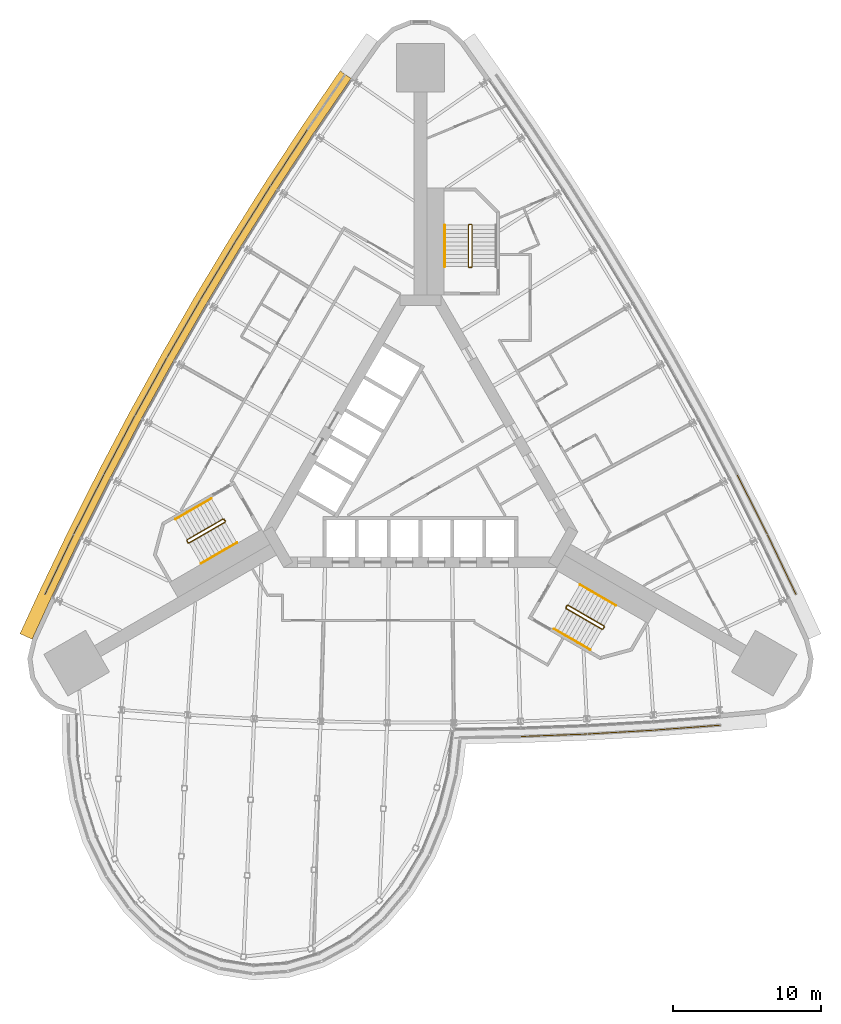
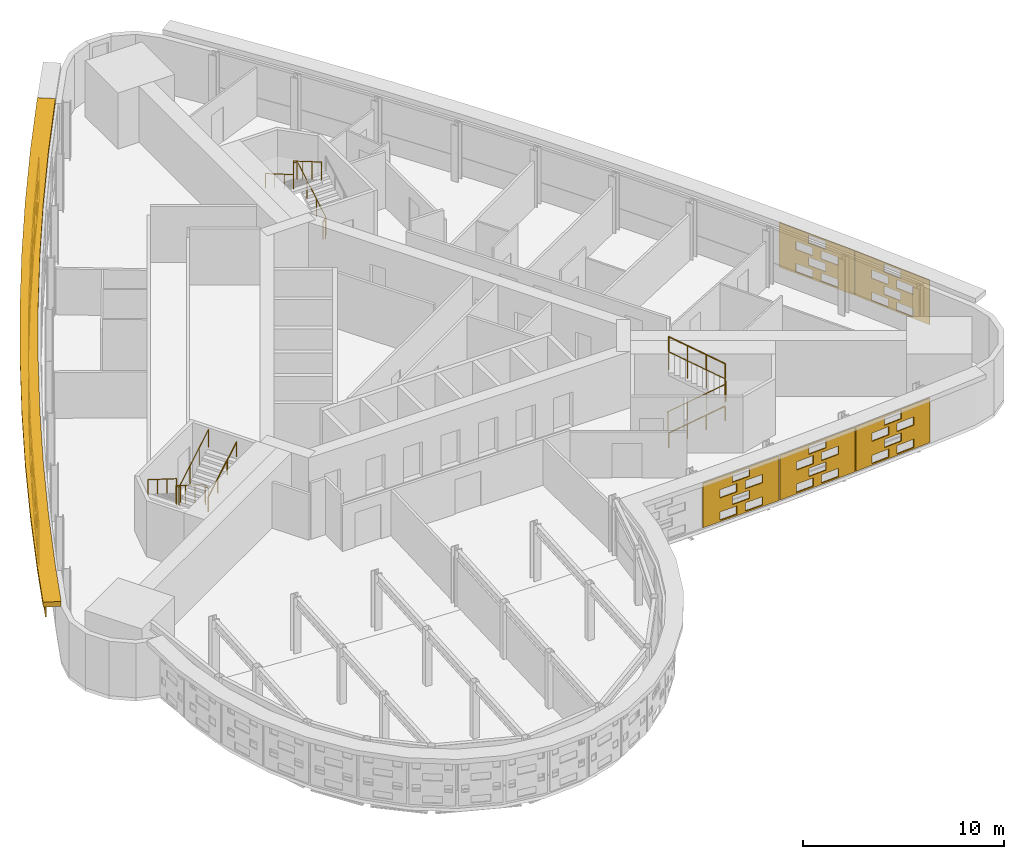
# One storey, part 15 of 16: 14 shading devices, 8 railings.
"""IFC4 building model written with IfcOpenShell, lengths in metres."""

import ifcopenshell
import ifcopenshell.guid

model = None  # the IFC model being written
_history = None  # IfcOwnerHistory: only IFC2X3 demands one
_inside = {}  # id of a spatial element -> (the spatial element, [elements in it])
_under = {}  # id of a project, library or spatial element -> (it, [spatial elements below it])
_declared = {}  # id of a project -> (the project, [libraries it declares])
_typed = {}  # id of a type object -> (the type object, [elements of that type])
_made_of = {}  # id of a material, layer set ... -> (it, [elements and type objects made of it])


def new_model(schema):
    """Start an empty IFC model of exactly this schema.

    Asked for "IFC4X3", IfcOpenShell would pick the latest addendum, in which some entities
    have other attributes; the version numbers below select the first issue.
    IFC2X3 requires an IfcOwnerHistory on every rooted entity: one is made here for all.
    """
    global model, _history
    if schema == "IFC4X3":
        model = ifcopenshell.file(schema_version=(4, 3, 0, 0))
    else:
        model = ifcopenshell.file(schema=schema)
    _inside.clear()
    _under.clear()
    _declared.clear()
    _typed.clear()
    _made_of.clear()
    _history = None
    if model.schema == "IFC2X3":
        org = make("IfcOrganization", Name="unknown")
        user = make(
            "IfcPersonAndOrganization",
            ThePerson=make("IfcPerson", FamilyName="unknown"),
            TheOrganization=org,
        )
        app = make(
            "IfcApplication",
            ApplicationDeveloper=org,
            Version="unknown",
            ApplicationFullName="unknown",
            ApplicationIdentifier="unknown",
        )
        _history = make(
            "IfcOwnerHistory",
            OwningUser=user,
            OwningApplication=app,
            ChangeAction="ADDED",
            CreationDate=0,
        )
    return model


def make(cls, **values):
    """One entity of the class cls with the attributes given. An attribute that is None is left unset."""
    return model.create_entity(
        cls, **{name: value for name, value in values.items() if value is not None}
    )


def rooted(cls, **values):
    """An entity with a GlobalId (a new one), such as an element, a storey or a relation."""
    return make(cls, GlobalId=ifcopenshell.guid.new(), OwnerHistory=_history, **values)


def si_unit(unit_type, name, prefix=None):
    """IfcSIUnit, for example si_unit("LENGTHUNIT", "METRE", prefix="MILLI")."""
    return make("IfcSIUnit", UnitType=unit_type, Prefix=prefix, Name=name)


def assignment(units):
    """IfcUnitAssignment: the units of a project."""
    return None if units is None else make("IfcUnitAssignment", Units=units)


def point(xyz):
    """IfcCartesianPoint."""
    return None if xyz is None else make("IfcCartesianPoint", Coordinates=xyz)


def direction(xyz):
    """IfcDirection."""
    return None if xyz is None else make("IfcDirection", DirectionRatios=xyz)


def frame(location, z_axis=None, x_axis=None):
    """IfcAxis2Placement3D, a coordinate frame: its origin and axes. An axis left out is left unset."""
    return make(
        "IfcAxis2Placement3D",
        Location=point(location),
        Axis=direction(z_axis),
        RefDirection=direction(x_axis),
    )


def frame_2d(location, x_axis=None):
    """IfcAxis2Placement2D, a coordinate frame in the plane: its origin and x axis."""
    return make(
        "IfcAxis2Placement2D", Location=point(location), RefDirection=direction(x_axis)
    )


def origin():
    """The frame at (0, 0, 0) with its axes left unset."""
    return frame((0.0, 0.0, 0.0))


def origin_2d():
    """The frame at (0, 0) in the plane with its x axis left unset."""
    return frame_2d((0.0, 0.0))


def place(relative_to, where):
    """IfcLocalPlacement: puts the frame where relative to a parent placement (None: the world)."""
    return make(
        "IfcLocalPlacement", PlacementRelTo=relative_to, RelativePlacement=where
    )


def context(
    kind, dimensions, precision=None, world=None, true_north=None, identifier=None
):
    """IfcGeometricRepresentationContext, for example the 3D "Model" context."""
    return make(
        "IfcGeometricRepresentationContext",
        ContextIdentifier=identifier,
        ContextType=kind,
        CoordinateSpaceDimension=dimensions,
        Precision=precision,
        WorldCoordinateSystem=world,
        TrueNorth=true_north,
    )


def subcontext(parent, identifier, kind, view, scale=None):
    """IfcGeometricRepresentationSubContext, for example "Body" below "Model"."""
    return make(
        "IfcGeometricRepresentationSubContext",
        ContextIdentifier=identifier,
        ContextType=kind,
        ParentContext=parent,
        TargetScale=scale,
        TargetView=view,
    )


def project(units=None, contexts=None):
    """IfcProject with its units and contexts."""
    return rooted(
        "IfcProject",
        Name="project",
        RepresentationContexts=contexts,
        UnitsInContext=assignment(units),
    )


def spatial(cls, under=None, at=None, **own):
    """A site, building, storey or space (cls), placed at a placement, below another one or the project."""
    s = rooted(cls, ObjectPlacement=at, **own)
    if under is not None:
        _under.setdefault(under.id(), (under, []))[1].append(s)
    return s


def polyline(points):
    """IfcPolyline through the points."""
    return make("IfcPolyline", Points=[point(p) for p in points])


def profile(cls, at=None, kind="AREA", **sizes):
    """A parametric profile (cls). Its sizes go by their IFC names, for example OverallWidth=200.0."""
    return make(cls, ProfileType=kind, Position=at, **sizes)


def circle(**sizes):
    """IfcCircleProfileDef."""
    return profile("IfcCircleProfileDef", **sizes)


def outline(outer, holes=None, kind="AREA"):
    """IfcArbitraryClosedProfileDef: a profile drawn as a closed curve; with holes, ...WithVoids."""
    if holes is None:
        return make("IfcArbitraryClosedProfileDef", ProfileType=kind, OuterCurve=outer)
    return make(
        "IfcArbitraryProfileDefWithVoids",
        ProfileType=kind,
        OuterCurve=outer,
        InnerCurves=holes,
    )


def extrude(swept, where, along, depth):
    """IfcExtrudedAreaSolid: the profile swept, set in the frame where, extruded along a direction by depth."""
    return make(
        "IfcExtrudedAreaSolid",
        SweptArea=swept,
        Position=where,
        ExtrudedDirection=direction(along),
        Depth=depth,
    )


def shape(context_of_items, identifier, shape_type, items):
    """IfcShapeRepresentation: the items that make up one representation, for example the "Body"."""
    return make(
        "IfcShapeRepresentation",
        ContextOfItems=context_of_items,
        RepresentationIdentifier=identifier,
        RepresentationType=shape_type,
        Items=items,
    )


def material(Name=None, Category=None):
    """IfcMaterial."""
    return make("IfcMaterial", Name=Name, Category=Category)


def material_profile(
    of_material, cross_section, Name=None, Category=None, Priority=None
):
    """IfcMaterialProfile: a cross section and its material."""
    return make(
        "IfcMaterialProfile",
        Name=Name,
        Material=of_material,
        Profile=cross_section,
        Priority=Priority,
        Category=Category,
    )


def profile_set(profiles, Name=None, composite=None):
    """IfcMaterialProfileSet."""
    return make(
        "IfcMaterialProfileSet",
        Name=Name,
        MaterialProfiles=profiles,
        CompositeProfile=composite,
    )


def made_of(thing, what):
    """Note that an element or type object is made of a material, layer set ...; save() writes the relation."""
    if what is not None:
        _made_of.setdefault(what.id(), (what, []))[1].append(thing)
    return thing


def type_object(cls, material=None, **own):
    """A type object (cls), such as IfcWallType, which elements share."""
    return made_of(rooted(cls, **own), material)


def element(
    cls,
    number,
    at=None,
    inside=None,
    cuts=None,
    type_object=None,
    material=None,
    context=None,
    identifier="Body",
    shape_type=None,
    held_by="IfcProductDefinitionShape",
    body=None,
    shapes=None,
    **own,
):
    """One element of the class cls, such as IfcWall. Its Tag is "e" and its number.

    at: its placement. inside: the storey or other place that contains it. cuts: it is an
    opening in that element (IfcRelVoidsElement). A single representation is given by context,
    identifier, shape_type and body (its items); several are given by shapes. held_by: the class
    of the entity that holds the representations. save() writes the other relations.
    """
    e = rooted(cls, Tag="e%d" % number, ObjectPlacement=at, **own)
    if body is not None:
        shapes = [shape(context, identifier, shape_type, body)]
    if shapes is not None:
        e.Representation = make(held_by, Representations=shapes)
    if inside is not None:
        _inside.setdefault(inside.id(), (inside, []))[1].append(e)
    if cuts is not None:
        rooted(
            "IfcRelVoidsElement", RelatingBuildingElement=cuts, RelatedOpeningElement=e
        )
    if type_object is not None:
        _typed.setdefault(type_object.id(), (type_object, []))[1].append(e)
    return made_of(e, material)


def aggregate(whole, parts):
    """IfcRelAggregates: a whole, such as a stair, and the parts it consists of."""
    return rooted("IfcRelAggregates", RelatingObject=whole, RelatedObjects=parts)


def save(model, path):
    """Write the relations noted so far, then the file.

    IfcRelAggregates (storeys below a building ...), IfcRelContainedInSpatialStructure (elements
    in a storey), IfcRelDefinesByType, IfcRelAssociatesMaterial and IfcRelDeclares: one each for
    every whole, place, type object, material and project.
    """
    for whole, parts in _under.values():
        aggregate(whole, parts)
    for where, things in _inside.values():
        rooted(
            "IfcRelContainedInSpatialStructure",
            RelatedElements=things,
            RelatingStructure=where,
        )
    for kind, things in _typed.values():
        rooted("IfcRelDefinesByType", RelatedObjects=things, RelatingType=kind)
    for what, things in _made_of.values():
        rooted("IfcRelAssociatesMaterial", RelatedObjects=things, RelatingMaterial=what)
    for by, libraries in _declared.values():
        rooted("IfcRelDeclares", RelatingContext=by, RelatedDefinitions=libraries)
    model.write(path)


model = new_model("IFC4")

# Units and contexts
model_context = context("Model", 3, precision=1e-05, world=origin(), true_north=direction((0.0, 1.0)))
body_context = subcontext(model_context, "Body", "Model", "MODEL_VIEW")
ifc_project = project(units=[si_unit("LENGTHUNIT", "METRE"), si_unit("AREAUNIT", "SQUARE_METRE"), si_unit("VOLUMEUNIT", "CUBIC_METRE"), si_unit("PLANEANGLEUNIT", "RADIAN"), si_unit("MASSUNIT", "GRAM", prefix="KILO")], contexts=[model_context])

# Site, building, storey
site_placement = place(None, origin())
site = spatial("IfcSite", under=ifc_project, at=site_placement, CompositionType="ELEMENT")
building_placement = place(site_placement, origin())
building = spatial("IfcBuilding", under=site, at=building_placement, Name="Noor Cloister Tower", CompositionType="ELEMENT")
storey_placement = place(building_placement, frame((0.0, 0.0, 65.39990234375)))
storey = spatial("IfcBuildingStorey", under=building, at=storey_placement, Name="L16", CompositionType="ELEMENT", Elevation=65.39990234375)

# Shading devices
ifc_material_1 = material(Name="Limestone", Category="masonry")
ifc_material_profile = material_profile(ifc_material_1, outline(polyline([(-2.22998046875, -1.35009765625), (2.22998046875, -1.35009765625), (2.22998046875, 1.35009765625), (-2.22998046875, 1.35009765625), (-2.22998046875, -1.35009765625)]), holes=[polyline([(-1.25, -1.263427734375), (-0.25, -1.263427734375), (-0.25, -0.76171875), (-1.25, -0.76171875), (-1.25, -1.263427734375)]), polyline([(0.25, -1.263427734375), (1.25, -1.263427734375), (1.25, -0.76171875), (0.25, -0.76171875), (0.25, -1.263427734375)]), polyline([(-0.5, -0.58837890625), (0.5, -0.58837890625), (0.5, -0.086669921875), (-0.5, -0.086669921875), (-0.5, -0.58837890625)]), polyline([(-1.25, 0.086669921875), (-0.25, 0.086669921875), (-0.25, 0.58837890625), (-1.25, 0.58837890625), (-1.25, 0.086669921875)]), polyline([(0.25, 0.086669921875), (1.25, 0.086669921875), (1.25, 0.58837890625), (0.25, 0.58837890625), (0.25, 0.086669921875)]), polyline([(-0.5, 0.76171875), (0.5, 0.76171875), (0.5, 1.263427734375), (-0.5, 1.263427734375), (-0.5, 0.76171875)])]), Name="Woven screen 25 percent open")
ifc_profile_set = profile_set([ifc_material_profile], Name="Limestone")
shading_device_type_1 = type_object("IfcShadingDeviceType", Name="SCREEN woven limestone 25 percent open", PredefinedType="USERDEFINED", material=ifc_profile_set)
shading_device_1_placement = place(storey_placement, frame((-8.83544921875, 20.710205078125, 1.85009765625), z_axis=(-0.837041537521, 0.547139346477, 0.0), x_axis=(-0.547139346477, -0.837041537521, 0.0)))
element("IfcShadingDevice", 1, at=shading_device_1_placement, inside=storey, type_object=shading_device_type_1, Name="SCREEN L16 2", ObjectType="SCREEN", PredefinedType="USERDEFINED", context=body_context, shape_type="SweptSolid", body=[
    extrude(outline(polyline([(-2.22998046875, -1.35009765625), (2.22998046875, -1.35009765625), (2.22998046875, 1.35009765625), (-2.22998046875, 1.35009765625), (-2.22998046875, -1.35009765625)]), holes=[polyline([(-1.25, -1.263427734375), (-0.25, -1.263427734375), (-0.25, -0.76171875), (-1.25, -0.76171875), (-1.25, -1.263427734375)]), polyline([(0.25, -1.263427734375), (1.25, -1.263427734375), (1.25, -0.76171875), (0.25, -0.76171875), (0.25, -1.263427734375)]), polyline([(-0.5, -0.58837890625), (0.5, -0.58837890625), (0.5, -0.086669921875), (-0.5, -0.086669921875), (-0.5, -0.58837890625)]), polyline([(-1.25, 0.086669921875), (-0.25, 0.086669921875), (-0.25, 0.58837890625), (-1.25, 0.58837890625), (-1.25, 0.086669921875)]), polyline([(0.25, 0.086669921875), (1.25, 0.086669921875), (1.25, 0.58837890625), (0.25, 0.58837890625), (0.25, 0.086669921875)]), polyline([(-0.5, 0.76171875), (0.5, 0.76171875), (0.5, 1.263427734375), (-0.5, 1.263427734375), (-0.5, 0.76171875)])]), origin(), (0.0, 0.0, 1.0), 0.059814453125),
])
shading_device_2_placement = place(storey_placement, frame((-11.2734375, 16.917724609375, 1.85009765625), z_axis=(-0.846164898331, 0.53292116193, 0.0), x_axis=(-0.53292116193, -0.846164898331, 0.0)))
element("IfcShadingDevice", 2, at=shading_device_2_placement, inside=storey, type_object=shading_device_type_1, Name="SCREEN L16 3", ObjectType="SCREEN", PredefinedType="USERDEFINED", context=body_context, shape_type="SweptSolid", body=[
    extrude(outline(polyline([(-2.22998046875, -1.35009765625), (2.22998046875, -1.35009765625), (2.22998046875, 1.35009765625), (-2.22998046875, 1.35009765625), (-2.22998046875, -1.35009765625)]), holes=[polyline([(-1.25, -1.263427734375), (-0.25, -1.263427734375), (-0.25, -0.76171875), (-1.25, -0.76171875), (-1.25, -1.263427734375)]), polyline([(0.25, -1.263427734375), (1.25, -1.263427734375), (1.25, -0.76171875), (0.25, -0.76171875), (0.25, -1.263427734375)]), polyline([(-0.5, -0.58837890625), (0.5, -0.58837890625), (0.5, -0.086669921875), (-0.5, -0.086669921875), (-0.5, -0.58837890625)]), polyline([(-1.25, 0.086669921875), (-0.25, 0.086669921875), (-0.25, 0.58837890625), (-1.25, 0.58837890625), (-1.25, 0.086669921875)]), polyline([(0.25, 0.086669921875), (1.25, 0.086669921875), (1.25, 0.58837890625), (0.25, 0.58837890625), (0.25, 0.086669921875)]), polyline([(-0.5, 0.76171875), (0.5, 0.76171875), (0.5, 1.263427734375), (-0.5, 1.263427734375), (-0.5, 0.76171875)])]), origin(), (0.0, 0.0, 1.0), 0.06005859375),
])
shading_device_3_placement = place(storey_placement, frame((-13.638427734375, 13.07958984375, 1.85009765625), z_axis=(-0.855690023312, 0.517488728384, 0.0), x_axis=(-0.517488728384, -0.855690023312, 0.0)))
element("IfcShadingDevice", 3, at=shading_device_3_placement, inside=storey, type_object=shading_device_type_1, Name="SCREEN L16 4", ObjectType="SCREEN", PredefinedType="USERDEFINED", context=body_context, shape_type="SweptSolid", body=[
    extrude(outline(polyline([(-2.22998046875, -1.35009765625), (2.22998046875, -1.35009765625), (2.22998046875, 1.35009765625), (-2.22998046875, 1.35009765625), (-2.22998046875, -1.35009765625)]), holes=[polyline([(-1.25, -1.263427734375), (-0.25, -1.263427734375), (-0.25, -0.76171875), (-1.25, -0.76171875), (-1.25, -1.263427734375)]), polyline([(0.25, -1.263427734375), (1.25, -1.263427734375), (1.25, -0.76171875), (0.25, -0.76171875), (0.25, -1.263427734375)]), polyline([(-0.5, -0.58837890625), (0.5, -0.58837890625), (0.5, -0.086669921875), (-0.5, -0.086669921875), (-0.5, -0.58837890625)]), polyline([(-1.25, 0.086669921875), (-0.25, 0.086669921875), (-0.25, 0.58837890625), (-1.25, 0.58837890625), (-1.25, 0.086669921875)]), polyline([(0.25, 0.086669921875), (1.25, 0.086669921875), (1.25, 0.58837890625), (0.25, 0.58837890625), (0.25, 0.086669921875)]), polyline([(-0.5, 0.76171875), (0.5, 0.76171875), (0.5, 1.263427734375), (-0.5, 1.263427734375), (-0.5, 0.76171875)])]), origin(), (0.0, 0.0, 1.0), 0.059814453125),
])
shading_device_4_placement = place(storey_placement, frame((-15.9296875, 9.197021484375, 1.85009765625), z_axis=(-0.865982457891, 0.500074377092, 0.0), x_axis=(-0.500074377092, -0.865982457891, 0.0)))
element("IfcShadingDevice", 4, at=shading_device_4_placement, inside=storey, type_object=shading_device_type_1, Name="SCREEN L16 5", ObjectType="SCREEN", PredefinedType="USERDEFINED", context=body_context, shape_type="SweptSolid", body=[
    extrude(outline(polyline([(-2.22998046875, -1.35009765625), (2.22998046875, -1.35009765625), (2.22998046875, 1.35009765625), (-2.22998046875, 1.35009765625), (-2.22998046875, -1.35009765625)]), holes=[polyline([(-1.25, -1.263427734375), (-0.25, -1.263427734375), (-0.25, -0.76171875), (-1.25, -0.76171875), (-1.25, -1.263427734375)]), polyline([(0.25, -1.263427734375), (1.25, -1.263427734375), (1.25, -0.76171875), (0.25, -0.76171875), (0.25, -1.263427734375)]), polyline([(-0.5, -0.58837890625), (0.5, -0.58837890625), (0.5, -0.086669921875), (-0.5, -0.086669921875), (-0.5, -0.58837890625)]), polyline([(-1.25, 0.086669921875), (-0.25, 0.086669921875), (-0.25, 0.58837890625), (-1.25, 0.58837890625), (-1.25, 0.086669921875)]), polyline([(0.25, 0.086669921875), (1.25, 0.086669921875), (1.25, 0.58837890625), (0.25, 0.58837890625), (0.25, 0.086669921875)]), polyline([(-0.5, 0.76171875), (0.5, 0.76171875), (0.5, 1.263427734375), (-0.5, 1.263427734375), (-0.5, 0.76171875)])]), origin(), (0.0, 0.0, 1.0), 0.06005859375),
])
shading_device_5_placement = place(storey_placement, frame((-18.146484375, 5.271484375, 1.85009765625), z_axis=(-0.876645997325, 0.481135942718, 0.0), x_axis=(-0.481135942718, -0.876645997325, 0.0)))
element("IfcShadingDevice", 5, at=shading_device_5_placement, inside=storey, type_object=shading_device_type_1, Name="SCREEN L16 6", ObjectType="SCREEN", PredefinedType="USERDEFINED", context=body_context, shape_type="SweptSolid", body=[
    extrude(outline(polyline([(-2.22998046875, -1.35009765625), (2.22998046875, -1.35009765625), (2.22998046875, 1.35009765625), (-2.22998046875, 1.35009765625), (-2.22998046875, -1.35009765625)]), holes=[polyline([(-1.25, -1.263427734375), (-0.25, -1.263427734375), (-0.25, -0.76171875), (-1.25, -0.76171875), (-1.25, -1.263427734375)]), polyline([(0.25, -1.263427734375), (1.25, -1.263427734375), (1.25, -0.76171875), (0.25, -0.76171875), (0.25, -1.263427734375)]), polyline([(-0.5, -0.58837890625), (0.5, -0.58837890625), (0.5, -0.086669921875), (-0.5, -0.086669921875), (-0.5, -0.58837890625)]), polyline([(-1.25, 0.086669921875), (-0.25, 0.086669921875), (-0.25, 0.58837890625), (-1.25, 0.58837890625), (-1.25, 0.086669921875)]), polyline([(0.25, 0.086669921875), (1.25, 0.086669921875), (1.25, 0.58837890625), (0.25, 0.58837890625), (0.25, 0.086669921875)]), polyline([(-0.5, 0.76171875), (0.5, 0.76171875), (0.5, 1.263427734375), (-0.5, 1.263427734375), (-0.5, 0.76171875)])]), origin(), (0.0, 0.0, 1.0), 0.059814453125),
])
for number, where, z_axis, x_axis, name in (
    (6, (-20.287841796875, 1.30419921875, 1.85009765625), (-0.886149575817, 0.463399319464, 0.0), (-0.463399319464, -0.886149575817, 0.0), "SCREEN L16 7"),
    (7, (-22.353271484375, -2.703369140625, 1.85009765625), (-0.891970083601, 0.452094425935, 0.0), (-0.452094425935, -0.891970083601, 0.0), "SCREEN L16 8"),
    (8, (-24.341552734375, -6.74951171875, 1.85009765625), (-0.902409201061, 0.430880068975, 0.0), (-0.430880068975, -0.902409201061, 0.0), "SCREEN L16 9"),
    (9, (9.0146484375, -18.221923828125, 1.85009765625), (0.036560905851, -0.999331426586, 0.0), (0.999331426586, 0.036560905851, 0.0), "SCREEN L16 20"),
):
    element("IfcShadingDevice", number, at=place(storey_placement, frame(where, z_axis=z_axis, x_axis=x_axis)), inside=storey, type_object=shading_device_type_1, Name=name, ObjectType="SCREEN", PredefinedType="USERDEFINED", context=body_context, shape_type="SweptSolid", body=[
        extrude(outline(polyline([(-2.22998046875, -1.35009765625), (2.22998046875, -1.35009765625), (2.22998046875, 1.35009765625), (-2.22998046875, 1.35009765625), (-2.22998046875, -1.35009765625)]), holes=[polyline([(-1.25, -1.263427734375), (-0.25, -1.263427734375), (-0.25, -0.76171875), (-1.25, -0.76171875), (-1.25, -1.263427734375)]), polyline([(0.25, -1.263427734375), (1.25, -1.263427734375), (1.25, -0.76171875), (0.25, -0.76171875), (0.25, -1.263427734375)]), polyline([(-0.5, -0.58837890625), (0.5, -0.58837890625), (0.5, -0.086669921875), (-0.5, -0.086669921875), (-0.5, -0.58837890625)]), polyline([(-1.25, 0.086669921875), (-0.25, 0.086669921875), (-0.25, 0.58837890625), (-1.25, 0.58837890625), (-1.25, 0.086669921875)]), polyline([(0.25, 0.086669921875), (1.25, 0.086669921875), (1.25, 0.58837890625), (0.25, 0.58837890625), (0.25, 0.086669921875)]), polyline([(-0.5, 0.76171875), (0.5, 0.76171875), (0.5, 1.263427734375), (-0.5, 1.263427734375), (-0.5, 0.76171875)])]), origin(), (0.0, 0.0, 1.0), 0.06005859375),
    ])
shading_device_6_placement = place(storey_placement, frame((13.517822265625, -18.0068359375, 1.85009765625), z_axis=(0.057049790539, -0.998371334424, 0.0), x_axis=(0.998371334424, 0.057049790539, 0.0)))
element("IfcShadingDevice", 10, at=shading_device_6_placement, inside=storey, type_object=shading_device_type_1, Name="SCREEN L16 21", ObjectType="SCREEN", PredefinedType="USERDEFINED", context=body_context, shape_type="SweptSolid", body=[
    extrude(outline(polyline([(-2.22998046875, -1.35009765625), (2.22998046875, -1.35009765625), (2.22998046875, 1.35009765625), (-2.22998046875, 1.35009765625), (-2.22998046875, -1.35009765625)]), holes=[polyline([(-1.25, -1.263427734375), (-0.25, -1.263427734375), (-0.25, -0.76171875), (-1.25, -0.76171875), (-1.25, -1.263427734375)]), polyline([(0.25, -1.263427734375), (1.25, -1.263427734375), (1.25, -0.76171875), (0.25, -0.76171875), (0.25, -1.263427734375)]), polyline([(-0.5, -0.58837890625), (0.5, -0.58837890625), (0.5, -0.086669921875), (-0.5, -0.086669921875), (-0.5, -0.58837890625)]), polyline([(-1.25, 0.086669921875), (-0.25, 0.086669921875), (-0.25, 0.58837890625), (-1.25, 0.58837890625), (-1.25, 0.086669921875)]), polyline([(0.25, 0.086669921875), (1.25, 0.086669921875), (1.25, 0.58837890625), (0.25, 0.58837890625), (0.25, 0.086669921875)]), polyline([(-0.5, 0.76171875), (0.5, 0.76171875), (0.5, 1.263427734375), (-0.5, 1.263427734375), (-0.5, 0.76171875)])]), origin(), (0.0, 0.0, 1.0), 0.059814453125),
])
for number, where, z_axis, x_axis, name in (
    (11, (18.01611328125, -17.70556640625, 1.85009765625), (0.073271902152, -0.99731200151, 0.0), (0.99731200151, 0.073271902152, 0.0), "SCREEN L16 22"),
    (12, (24.341552734375, -6.74951171875, 1.85009765625), (0.902409201061, 0.430880068975, 0.0), (-0.430880068975, 0.902409201061, 0.0), "SCREEN L16 1"),
    (13, (22.353271484375, -2.703369140625, 1.85009765625), (0.891970083601, 0.452094425935, 0.0), (-0.452094425935, 0.891970083601, 0.0), "SCREEN L16 2"),
):
    element("IfcShadingDevice", number, at=place(storey_placement, frame(where, z_axis=z_axis, x_axis=x_axis)), inside=storey, type_object=shading_device_type_1, Name=name, ObjectType="SCREEN", PredefinedType="USERDEFINED", context=body_context, shape_type="SweptSolid", body=[
        extrude(outline(polyline([(-2.22998046875, -1.35009765625), (2.22998046875, -1.35009765625), (2.22998046875, 1.35009765625), (-2.22998046875, 1.35009765625), (-2.22998046875, -1.35009765625)]), holes=[polyline([(-1.25, -1.263427734375), (-0.25, -1.263427734375), (-0.25, -0.76171875), (-1.25, -0.76171875), (-1.25, -1.263427734375)]), polyline([(0.25, -1.263427734375), (1.25, -1.263427734375), (1.25, -0.76171875), (0.25, -0.76171875), (0.25, -1.263427734375)]), polyline([(-0.5, -0.58837890625), (0.5, -0.58837890625), (0.5, -0.086669921875), (-0.5, -0.086669921875), (-0.5, -0.58837890625)]), polyline([(-1.25, 0.086669921875), (-0.25, 0.086669921875), (-0.25, 0.58837890625), (-1.25, 0.58837890625), (-1.25, 0.086669921875)]), polyline([(0.25, 0.086669921875), (1.25, 0.086669921875), (1.25, 0.58837890625), (0.25, 0.58837890625), (0.25, 0.086669921875)]), polyline([(-0.5, 0.76171875), (0.5, 0.76171875), (0.5, 1.263427734375), (-0.5, 1.263427734375), (-0.5, 0.76171875)])]), origin(), (0.0, 0.0, 1.0), 0.06005859375),
    ])
ifc_material_2 = material(Name="Limestone", Category="masonry")
shading_device_type_2 = type_object("IfcShadingDeviceType", Name="SUNSHADE limestone band 900", PredefinedType="USERDEFINED", material=ifc_material_2)
shading_device_7_placement = place(storey_placement, frame((0.0, 0.0, 3.300048828125)))
element("IfcShadingDevice", 14, at=shading_device_7_placement, inside=storey, type_object=shading_device_type_2, Name="SUNSHADE L16 1", ObjectType="SUNSHADE", PredefinedType="USERDEFINED", context=body_context, shape_type="SweptSolid", body=[
    extrude(outline(polyline([(-5.426513671875, 26.566162109375), (-7.97216796875, 22.84521484375), (-10.450927734375, 19.06884765625), (-12.857421875, 15.24609375), (-15.190185546875, 11.3779296875), (-17.44873046875, 7.466064453125), (-19.632080078125, 3.51171875), (-21.73974609375, -0.483642578125), (-23.7705078125, -4.5185546875), (-25.723388671875, -8.590087890625), (-27.015869140625, -11.399658203125), (-26.1982421875, -11.77587890625), (-24.908935546875, -8.972900390625), (-22.962890625, -4.91552734375), (-20.939697265625, -0.89599609375), (-18.840087890625, 3.084228515625), (-16.6650390625, 7.0234375), (-14.4150390625, 10.920654296875), (-12.091064453125, 14.77392578125), (-9.69384765625, 18.582275390625), (-7.224609375, 22.343994140625), (-4.683837890625, 26.05810546875), (-5.426513671875, 26.566162109375)])), origin(), (0.0, 0.0, 1.0), 0.300048828125),
])

# Railings
ifc_material_3 = material(Name="Stainless steel", Category="steel")
railing_type_1 = type_object("IfcRailingType", Name="Stair guard 1100", PredefinedType="GUARDRAIL", material=ifc_material_3)
railing_1_placement = place(storey_placement, frame((3.435546875, 13.306396484375, 0.0)))
element("IfcRailing", 15, at=railing_1_placement, inside=storey, type_object=railing_type_1, Name="Stair guard ST1 L16", PredefinedType="GUARDRAIL", context=body_context, shape_type="SweptSolid", body=[
    extrude(circle(Radius=0.02392578125, at=origin_2d()), frame((0.0, 0.0, 1.076171875), z_axis=(-1.0, 0.0, 0.0), x_axis=(0.0, -1.0, 0.0)), (0.0, 0.0, 1.0), 0.14990234375),
    extrude(circle(Radius=0.02392578125, at=origin_2d()), frame((-0.14990234375, 0.0, 1.076171875), z_axis=(0.759432192796, 0.190089865108, 0.622196582865), x_axis=(-0.242814311512, 0.970072785993, 0.0)), (0.0, 0.0, 1.0), 0.26318359375),
    extrude(circle(Radius=0.02392578125, at=origin_2d()), frame((0.050048828125, 0.050048828125, 1.23974609375), z_axis=(0.0, 0.863393664356, 0.504530851732), x_axis=(-1.0, 0.0, 0.0)), (0.0, 0.0, 1.0), 3.2431640625),
    extrude(circle(Radius=0.02392578125, at=origin_2d()), frame((0.050048828125, 2.85009765625, 2.8759765625), z_axis=(-0.708833529934, 0.705375805398, 0.0), x_axis=(-0.705375805398, -0.708833529934, 0.0)), (0.0, 0.0, 1.0), 0.070556640625),
    extrude(circle(Radius=0.02392578125, at=origin_2d()), frame((0.0, 2.89990234375, 2.8759765625), z_axis=(-1.0, 0.0, 0.0), x_axis=(0.0, -1.0, 0.0)), (0.0, 0.0, 1.0), 0.14990234375),
    extrude(circle(Radius=0.02392578125, at=origin_2d()), frame((-0.14990234375, 2.89990234375, 2.8759765625), z_axis=(-0.280916556609, -0.279546231943, 0.91811752648), x_axis=(0.705375805398, -0.708833529934, 0.0)), (0.0, 0.0, 1.0), 0.17822265625),
    extrude(circle(Radius=0.02392578125, at=origin_2d()), frame((-0.199951171875, 2.85009765625, 3.03955078125), z_axis=(0.0, -0.863360870873, 0.504586966384), x_axis=(1.0, 0.0, 0.0)), (0.0, 0.0, 1.0), 3.2431640625),
    extrude(circle(Radius=0.02099609375, at=origin_2d()), origin(), (0.0, 0.0, 1.0), 1.052001953125),
    extrude(circle(Radius=0.02099609375, at=origin_2d()), frame((-0.14990234375, 0.0, 0.0)), (0.0, 0.0, 1.0), 1.052001953125),
    extrude(circle(Radius=0.02099609375, at=origin_2d()), frame((0.050048828125, 0.050048828125, 0.163818359375)), (0.0, 0.0, 1.0), 1.052001953125),
    extrude(circle(Radius=0.02099609375, at=origin_2d()), frame((0.050048828125, 0.9833984375, 0.709228515625)), (0.0, 0.0, 1.0), 1.052001953125),
    extrude(circle(Radius=0.02099609375, at=origin_2d()), frame((0.050048828125, 1.916748046875, 1.254638671875)), (0.0, 0.0, 1.0), 1.052001953125),
    extrude(circle(Radius=0.02099609375, at=origin_2d()), frame((0.050048828125, 2.85009765625, 1.800048828125)), (0.0, 0.0, 1.0), 1.052001953125),
    extrude(circle(Radius=0.02099609375, at=origin_2d()), frame((0.0, 2.89990234375, 1.800048828125)), (0.0, 0.0, 1.0), 1.052001953125),
    extrude(circle(Radius=0.02099609375, at=origin_2d()), frame((-0.14990234375, 2.89990234375, 1.800048828125)), (0.0, 0.0, 1.0), 1.052001953125),
    extrude(circle(Radius=0.02099609375, at=origin_2d()), frame((-0.199951171875, 2.85009765625, 1.963623046875)), (0.0, 0.0, 1.0), 1.052001953125),
    extrude(circle(Radius=0.02099609375, at=origin_2d()), frame((-0.199951171875, 1.916748046875, 2.509033203125)), (0.0, 0.0, 1.0), 1.052001953125),
    extrude(circle(Radius=0.02099609375, at=origin_2d()), frame((-0.199951171875, 0.9833984375, 3.0546875)), (0.0, 0.0, 1.0), 1.052001953125),
    extrude(circle(Radius=0.02099609375, at=origin_2d()), frame((-0.199951171875, 0.050048828125, 3.60009765625)), (0.0, 0.0, 1.0), 1.052001953125),
])
railing_2_placement = place(storey_placement, frame((-13.241455078125, -3.677734375, 0.0)))
element("IfcRailing", 16, at=railing_2_placement, inside=storey, type_object=railing_type_1, Name="Stair guard ST2 L16", PredefinedType="GUARDRAIL", context=body_context, shape_type="SweptSolid", body=[
    extrude(circle(Radius=0.02392578125, at=origin_2d()), frame((0.0, 0.0, 1.076171875), z_axis=(0.499112439033, -0.866537231285, 0.0), x_axis=(0.866537231285, 0.499112439033, 0.0)), (0.0, 0.0, 1.0), 0.150146484375),
    extrude(circle(Radius=0.02392578125, at=origin_2d()), frame((0.074951171875, -0.130126953125, 1.076171875), z_axis=(-0.544251820729, 0.562795323991, 0.622134534428), x_axis=(-0.718850276695, -0.695164929852, 0.0)), (0.0, 0.0, 1.0), 0.263427734375),
    extrude(circle(Radius=0.02392578125, at=origin_2d()), frame((-0.068359375, 0.01806640625, 1.23974609375), z_axis=(-0.74771821388, -0.431677027627, 0.504551698492), x_axis=(0.49998411664, -0.866034573852, 0.0)), (0.0, 0.0, 1.0), 3.242919921875),
    extrude(circle(Radius=0.02392578125, at=origin_2d()), frame((-2.4931640625, -1.3818359375, 2.8759765625), z_axis=(-0.258736085224, -0.965948051503, 0.0), x_axis=(0.965948051503, -0.258736085224, 0.0)), (0.0, 0.0, 1.0), 0.07080078125),
    extrude(circle(Radius=0.02392578125, at=origin_2d()), frame((-2.511474609375, -1.4501953125, 2.8759765625), z_axis=(0.499816412211, -0.866131372301, 0.0), x_axis=(0.866131372301, 0.499816412211, 0.0)), (0.0, 0.0, 1.0), 0.14990234375),
    extrude(circle(Radius=0.02392578125, at=origin_2d()), frame((-2.4365234375, -1.580078125, 2.8759765625), z_axis=(0.383552647116, -0.102737316192, 0.917786691313), x_axis=(0.258736085224, 0.965948051503, 0.0)), (0.0, 0.0, 1.0), 0.17822265625),
    extrude(circle(Radius=0.02392578125, at=origin_2d()), frame((-2.3681640625, -1.598388671875, 3.03955078125), z_axis=(0.747665513933, 0.431721881032, 0.504591415616), x_axis=(-0.500049511043, 0.865996816683, 0.0)), (0.0, 0.0, 1.0), 3.2431640625),
    extrude(circle(Radius=0.02099609375, at=origin_2d()), origin(), (0.0, 0.0, 1.0), 1.052001953125),
    extrude(circle(Radius=0.02099609375, at=origin_2d()), frame((0.074951171875, -0.130126953125, 0.0)), (0.0, 0.0, 1.0), 1.052001953125),
    extrude(circle(Radius=0.02099609375, at=origin_2d()), frame((-0.068359375, 0.01806640625, 0.163818359375)), (0.0, 0.0, 1.0), 1.052001953125),
    extrude(circle(Radius=0.02099609375, at=origin_2d()), frame((-0.876708984375, -0.448486328125, 0.709228515625)), (0.0, 0.0, 1.0), 1.052001953125),
    extrude(circle(Radius=0.02099609375, at=origin_2d()), frame((-1.684814453125, -0.915283203125, 1.254638671875)), (0.0, 0.0, 1.0), 1.052001953125),
    extrude(circle(Radius=0.02099609375, at=origin_2d()), frame((-2.4931640625, -1.3818359375, 1.800048828125)), (0.0, 0.0, 1.0), 1.052001953125),
    extrude(circle(Radius=0.02099609375, at=origin_2d()), frame((-2.511474609375, -1.4501953125, 1.800048828125)), (0.0, 0.0, 1.0), 1.052001953125),
    extrude(circle(Radius=0.02099609375, at=origin_2d()), frame((-2.4365234375, -1.580078125, 1.800048828125)), (0.0, 0.0, 1.0), 1.052001953125),
    extrude(circle(Radius=0.02099609375, at=origin_2d()), frame((-2.3681640625, -1.598388671875, 1.963623046875)), (0.0, 0.0, 1.0), 1.052001953125),
    extrude(circle(Radius=0.02099609375, at=origin_2d()), frame((-1.559814453125, -1.131591796875, 2.509033203125)), (0.0, 0.0, 1.0), 1.052001953125),
    extrude(circle(Radius=0.02099609375, at=origin_2d()), frame((-0.751708984375, -0.6650390625, 3.0546875)), (0.0, 0.0, 1.0), 1.052001953125),
    extrude(circle(Radius=0.02099609375, at=origin_2d()), frame((0.056640625, -0.1982421875, 3.60009765625)), (0.0, 0.0, 1.0), 1.052001953125),
])
railing_3_placement = place(storey_placement, frame((9.805908203125, -9.628662109375, 0.0)))
element("IfcRailing", 17, at=railing_3_placement, inside=storey, type_object=railing_type_1, Name="Stair guard ST3 L16", PredefinedType="GUARDRAIL", context=body_context, shape_type="SweptSolid", body=[
    extrude(circle(Radius=0.02392578125, at=origin_2d()), frame((0.0, 0.0, 1.076171875), z_axis=(0.499112439033, 0.866537231285, 0.0), x_axis=(-0.866537231285, 0.499112439033, 0.0)), (0.0, 0.0, 1.0), 0.150146484375),
    extrude(circle(Radius=0.02392578125, at=origin_2d()), frame((0.074951171875, 0.130126953125, 1.076171875), z_axis=(-0.215090770512, -0.752817696793, 0.622094426784), x_axis=(0.961523947641, -0.274721127897, 0.0)), (0.0, 0.0, 1.0), 0.263427734375),
    extrude(circle(Radius=0.02392578125, at=origin_2d()), frame((0.018310546875, -0.068115234375, 1.23974609375), z_axis=(0.747693913401, -0.431738279637, 0.504535300807), x_axis=(0.500049511043, 0.865996816683, 0.0)), (0.0, 0.0, 1.0), 3.2431640625),
    extrude(circle(Radius=0.02392578125, at=origin_2d()), frame((2.443115234375, -1.46826171875, 2.8759765625), z_axis=(0.965948051503, 0.258736085224, 0.0), x_axis=(-0.258736085224, 0.965948051503, 0.0)), (0.0, 0.0, 1.0), 0.07080078125),
    extrude(circle(Radius=0.02392578125, at=origin_2d()), frame((2.511474609375, -1.449951171875, 2.8759765625), z_axis=(0.499816412211, 0.866131372301, 0.0), x_axis=(-0.866131372301, 0.499816412211, 0.0)), (0.0, 0.0, 1.0), 0.14990234375),
    extrude(circle(Radius=0.02392578125, at=origin_2d()), frame((2.58642578125, -1.320068359375, 2.8759765625), z_axis=(-0.102737316192, 0.383552647116, 0.917786691313), x_axis=(-0.965948051503, -0.258736085224, 0.0)), (0.0, 0.0, 1.0), 0.17822265625),
    extrude(circle(Radius=0.02392578125, at=origin_2d()), frame((2.568115234375, -1.251708984375, 3.03955078125), z_axis=(-0.747689811644, 0.431660630283, 0.504607813879), x_axis=(-0.49998411664, -0.866034573852, 0.0)), (0.0, 0.0, 1.0), 3.2431640625),
    extrude(circle(Radius=0.02099609375, at=origin_2d()), origin(), (0.0, 0.0, 1.0), 1.052001953125),
    extrude(circle(Radius=0.02099609375, at=origin_2d()), frame((0.074951171875, 0.130126953125, 0.0)), (0.0, 0.0, 1.0), 1.052001953125),
    extrude(circle(Radius=0.02099609375, at=origin_2d()), frame((0.018310546875, -0.068115234375, 0.163818359375)), (0.0, 0.0, 1.0), 1.052001953125),
    extrude(circle(Radius=0.02099609375, at=origin_2d()), frame((0.82666015625, -0.534912109375, 0.709228515625)), (0.0, 0.0, 1.0), 1.052001953125),
    extrude(circle(Radius=0.02099609375, at=origin_2d()), frame((1.634765625, -1.00146484375, 1.254638671875)), (0.0, 0.0, 1.0), 1.052001953125),
    extrude(circle(Radius=0.02099609375, at=origin_2d()), frame((2.443115234375, -1.46826171875, 1.800048828125)), (0.0, 0.0, 1.0), 1.052001953125),
    extrude(circle(Radius=0.02099609375, at=origin_2d()), frame((2.511474609375, -1.449951171875, 1.800048828125)), (0.0, 0.0, 1.0), 1.052001953125),
    extrude(circle(Radius=0.02099609375, at=origin_2d()), frame((2.58642578125, -1.320068359375, 1.800048828125)), (0.0, 0.0, 1.0), 1.052001953125),
    extrude(circle(Radius=0.02099609375, at=origin_2d()), frame((2.568115234375, -1.251708984375, 1.963623046875)), (0.0, 0.0, 1.0), 1.052001953125),
    extrude(circle(Radius=0.02099609375, at=origin_2d()), frame((1.759765625, -0.78515625, 2.509033203125)), (0.0, 0.0, 1.0), 1.052001953125),
    extrude(circle(Radius=0.02099609375, at=origin_2d()), frame((0.95166015625, -0.318359375, 3.0546875)), (0.0, 0.0, 1.0), 1.052001953125),
    extrude(circle(Radius=0.02099609375, at=origin_2d()), frame((0.143310546875, 0.148193359375, 3.60009765625)), (0.0, 0.0, 1.0), 1.052001953125),
])
ifc_material_4 = material(Name="Stainless steel", Category="steel")
railing_type_2 = type_object("IfcRailingType", Name="Stair handrail 900", PredefinedType="HANDRAIL", material=ifc_material_4)
railing_4_placement = place(storey_placement, frame((1.6357421875, 16.156494140625, 1.963623046875)))
element("IfcRailing", 18, at=railing_4_placement, inside=storey, type_object=railing_type_2, Name="Stair handrail ST1 L16 2", PredefinedType="HANDRAIL", context=body_context, shape_type="SweptSolid", body=[
    extrude(circle(Radius=0.02392578125, at=origin_2d()), frame((0.0, 0.0, 0.8759765625), z_axis=(0.0, -0.863360870873, 0.504586966384), x_axis=(1.0, 0.0, 0.0)), (0.0, 0.0, 1.0), 3.2431640625),
    extrude(circle(Radius=0.02099609375, at=origin_2d()), origin(), (0.0, 0.0, 1.0), 0.851806640625),
    extrude(circle(Radius=0.02099609375, at=origin_2d()), frame((0.0, -0.933349609375, 0.54541015625)), (0.0, 0.0, 1.0), 0.851806640625),
    extrude(circle(Radius=0.02099609375, at=origin_2d()), frame((0.0, -1.86669921875, 1.091064453125)), (0.0, 0.0, 1.0), 0.851806640625),
    extrude(circle(Radius=0.02099609375, at=origin_2d()), frame((0.0, -2.800048828125, 1.636474609375)), (0.0, 0.0, 1.0), 0.851806640625),
])
railing_5_placement = place(storey_placement, frame((-14.10986328125, -2.27392578125, 0.163818359375)))
element("IfcRailing", 19, at=railing_5_placement, inside=storey, type_object=railing_type_2, Name="Stair handrail ST2 L16 1", PredefinedType="HANDRAIL", context=body_context, shape_type="SweptSolid", body=[
    extrude(circle(Radius=0.02392578125, at=origin_2d()), frame((0.0, 0.0, 0.8759765625), z_axis=(-0.74771821388, -0.431677027627, 0.504551698492), x_axis=(0.49998411664, -0.866034573852, 0.0)), (0.0, 0.0, 1.0), 3.242919921875),
    extrude(circle(Radius=0.02099609375, at=origin_2d()), origin(), (0.0, 0.0, 1.0), 0.851806640625),
    extrude(circle(Radius=0.02099609375, at=origin_2d()), frame((-0.808349609375, -0.466552734375, 0.54541015625)), (0.0, 0.0, 1.0), 0.851806640625),
    extrude(circle(Radius=0.02099609375, at=origin_2d()), frame((-1.616455078125, -0.933349609375, 1.0908203125)), (0.0, 0.0, 1.0), 0.851806640625),
    extrude(circle(Radius=0.02099609375, at=origin_2d()), frame((-2.4248046875, -1.39990234375, 1.63623046875)), (0.0, 0.0, 1.0), 0.851806640625),
])
railing_6_placement = place(storey_placement, frame((-14.8095703125, -6.66162109375, 1.963623046875)))
element("IfcRailing", 20, at=railing_6_placement, inside=storey, type_object=railing_type_2, Name="Stair handrail ST2 L16 2", PredefinedType="HANDRAIL", context=body_context, shape_type="SweptSolid", body=[
    extrude(circle(Radius=0.02392578125, at=origin_2d()), frame((0.0, 0.0, 0.8759765625), z_axis=(0.747689811644, 0.431660630283, 0.504607813879), x_axis=(-0.49998411664, 0.866034573852, 0.0)), (0.0, 0.0, 1.0), 3.2431640625),
    extrude(circle(Radius=0.02099609375, at=origin_2d()), origin(), (0.0, 0.0, 1.0), 0.851806640625),
    extrude(circle(Radius=0.02099609375, at=origin_2d()), frame((0.808349609375, 0.466552734375, 0.54541015625)), (0.0, 0.0, 1.0), 0.851806640625),
    extrude(circle(Radius=0.02099609375, at=origin_2d()), frame((1.616455078125, 0.933349609375, 1.091064453125)), (0.0, 0.0, 1.0), 0.851806640625),
    extrude(circle(Radius=0.02099609375, at=origin_2d()), frame((2.4248046875, 1.39990234375, 1.636474609375)), (0.0, 0.0, 1.0), 0.851806640625),
])
railing_7_placement = place(storey_placement, frame((9.024169921875, -11.08251953125, 0.163818359375)))
element("IfcRailing", 21, at=railing_7_placement, inside=storey, type_object=railing_type_2, Name="Stair handrail ST3 L16 1", PredefinedType="HANDRAIL", context=body_context, shape_type="SweptSolid", body=[
    extrude(circle(Radius=0.02392578125, at=origin_2d()), frame((0.0, 0.0, 0.8759765625), z_axis=(0.74771821388, -0.431677027627, 0.504551698492), x_axis=(0.49998411664, 0.866034573852, 0.0)), (0.0, 0.0, 1.0), 3.242919921875),
    extrude(circle(Radius=0.02099609375, at=origin_2d()), origin(), (0.0, 0.0, 1.0), 0.851806640625),
    extrude(circle(Radius=0.02099609375, at=origin_2d()), frame((0.808349609375, -0.466552734375, 0.54541015625)), (0.0, 0.0, 1.0), 0.851806640625),
    extrude(circle(Radius=0.02099609375, at=origin_2d()), frame((1.616455078125, -0.933349609375, 1.0908203125)), (0.0, 0.0, 1.0), 0.851806640625),
    extrude(circle(Radius=0.02099609375, at=origin_2d()), frame((2.4248046875, -1.39990234375, 1.63623046875)), (0.0, 0.0, 1.0), 0.851806640625),
])
railing_8_placement = place(storey_placement, frame((13.174072265625, -9.49462890625, 1.963623046875)))
element("IfcRailing", 22, at=railing_8_placement, inside=storey, type_object=railing_type_2, Name="Stair handrail ST3 L16 2", PredefinedType="HANDRAIL", context=body_context, shape_type="SweptSolid", body=[
    extrude(circle(Radius=0.02392578125, at=origin_2d()), frame((0.0, 0.0, 0.8759765625), z_axis=(-0.747689811644, 0.431660630283, 0.504607813879), x_axis=(-0.49998411664, -0.866034573852, 0.0)), (0.0, 0.0, 1.0), 3.2431640625),
    extrude(circle(Radius=0.02099609375, at=origin_2d()), origin(), (0.0, 0.0, 1.0), 0.851806640625),
    extrude(circle(Radius=0.02099609375, at=origin_2d()), frame((-0.808349609375, 0.466552734375, 0.54541015625)), (0.0, 0.0, 1.0), 0.851806640625),
    extrude(circle(Radius=0.02099609375, at=origin_2d()), frame((-1.616455078125, 0.933349609375, 1.091064453125)), (0.0, 0.0, 1.0), 0.851806640625),
    extrude(circle(Radius=0.02099609375, at=origin_2d()), frame((-2.4248046875, 1.39990234375, 1.636474609375)), (0.0, 0.0, 1.0), 0.851806640625),
])

save(model, "model.ifc")
